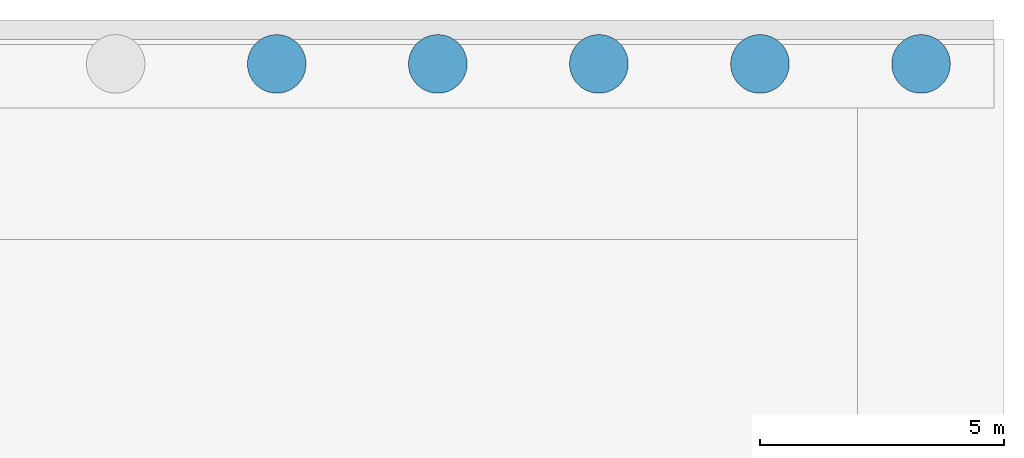
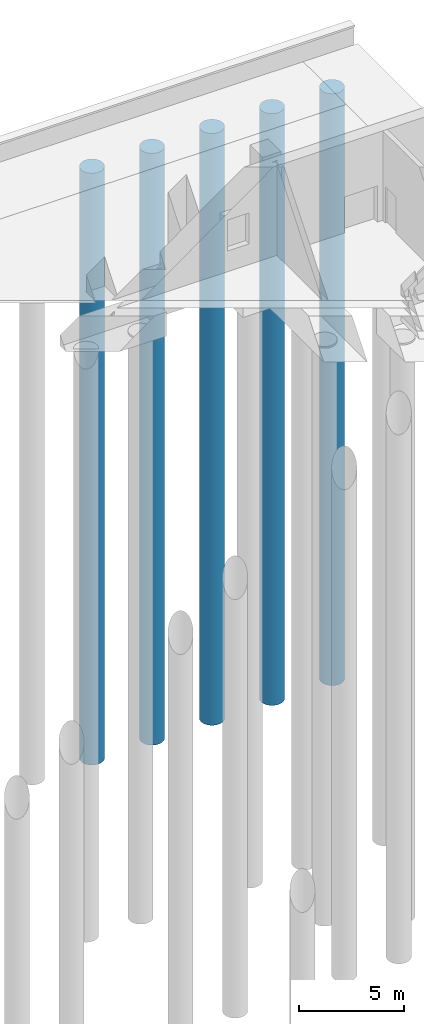
# One storey, part 9 of 168: 5 piles.
"""IFC4 building model written with IfcOpenShell, lengths in metres."""

from ifc_helpers import new_model, si_unit, direction, frame, origin, origin_2d, place, context, subcontext, project, spatial, circle, extrude, material, material_profile, profile_set, type_object, element, save


model = new_model("IFC4")

# Units and contexts
model_context = context("Model", 3, precision=1e-05, world=origin(), true_north=direction((0.0, 1.0)))
body_context = subcontext(model_context, "Body", "Model", "MODEL_VIEW")
ifc_project = project(units=[si_unit("LENGTHUNIT", "METRE"), si_unit("AREAUNIT", "SQUARE_METRE"), si_unit("VOLUMEUNIT", "CUBIC_METRE"), si_unit("PLANEANGLEUNIT", "RADIAN"), si_unit("MASSUNIT", "GRAM", prefix="KILO")], contexts=[model_context])

# Site, building, storey
site_placement = place(None, origin())
site = spatial("IfcSite", under=ifc_project, at=site_placement, CompositionType="ELEMENT")
building_placement = place(site_placement, origin())
building = spatial("IfcBuilding", under=site, at=building_placement, Name="Golden Quay Civic Hall", CompositionType="ELEMENT")
storey_placement = place(building_placement, origin())
storey = spatial("IfcBuildingStorey", under=building, at=storey_placement, Name="L00", CompositionType="ELEMENT", Elevation=0.0)

# Piles
ifc_material = material(Name="Concrete C40/50", Category="concrete")
ifc_material_profile = material_profile(ifc_material, circle(Radius=0.60009765625, at=origin_2d()), Name="RC D1200")
ifc_profile_set = profile_set([ifc_material_profile], Name="Concrete C40/50")
pile_type = type_object("IfcPileType", Name="Bored pile 1200", PredefinedType="BORED", material=ifc_profile_set)
for number, where, z_axis, x_axis, name in (
    (1, (159.10009765625, 111.60009765625, -1.60009765625), (0.0, 0.0, -1.0), (1.0, 0.0, 0.0), "PL1 bored pile"),
    (2, (162.39990234375, 111.60009765625, -1.60009765625), (0.0, 0.0, -1.0), (1.0, 0.0, 0.0), "PL1 bored pile"),
    (3, (165.699951171875, 111.60009765625, -1.60009765625), (0.0, 0.0, -1.0), (1.0, 0.0, 0.0), "PL1 bored pile"),
    (4, (169.0, 111.60009765625, -1.60009765625), (0.0, 0.0, -1.0), (1.0, 0.0, 0.0), "PL1 bored pile"),
    (5, (172.300048828125, 111.60009765625, -1.60009765625), (0.0, 0.0, -1.0), (1.0, 0.0, 0.0), "PL1 bored pile"),
):
    element("IfcPile", number, at=place(storey_placement, frame(where, z_axis=z_axis, x_axis=x_axis)), inside=storey, type_object=pile_type, Name=name, PredefinedType="BORED", context=body_context, shape_type="SweptSolid", body=[
        extrude(circle(Radius=0.60009765625, at=origin_2d()), origin(), (0.0, 0.0, 1.0), 34.39990234375),
    ])

save(model, "model.ifc")
